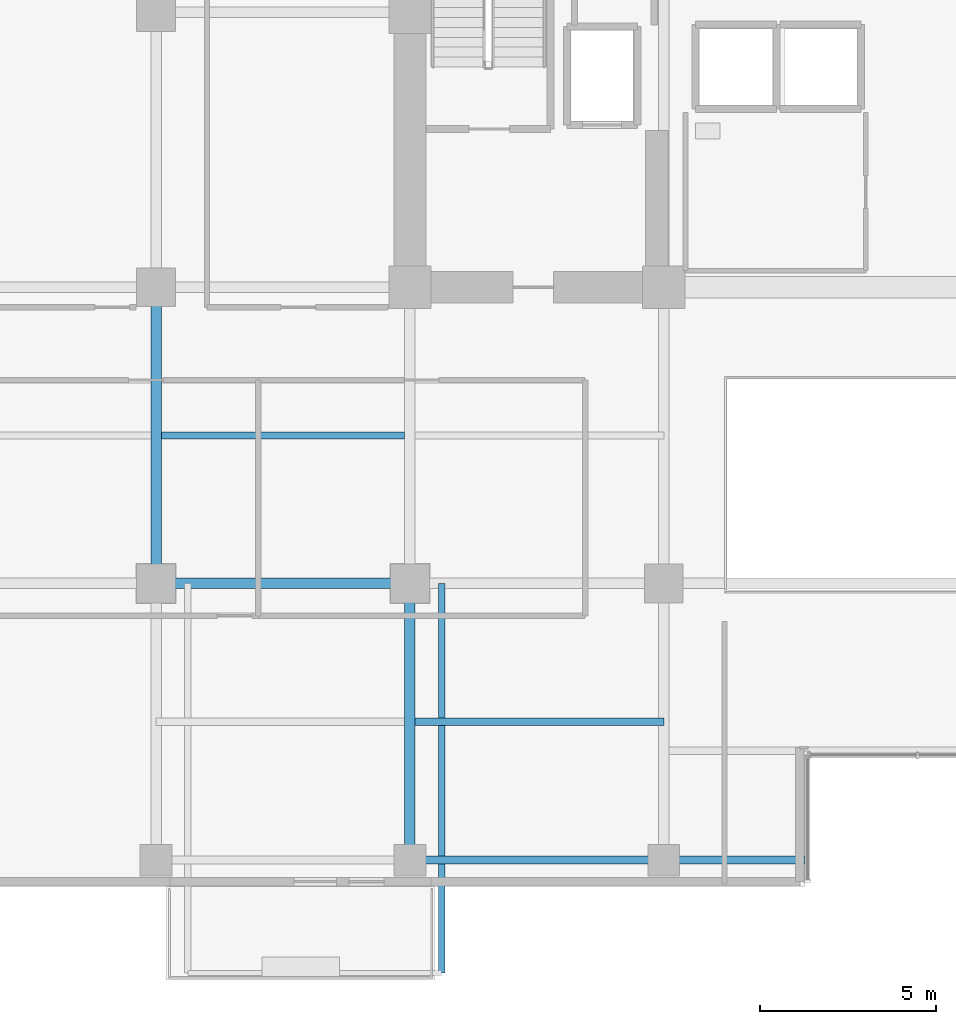
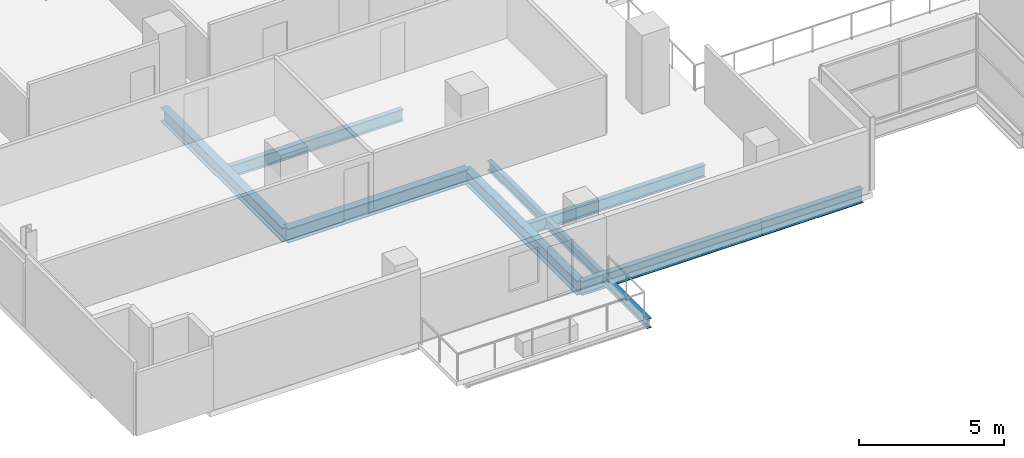
# One storey, part 5 of 29: 8 beams.
"""IFC4 building model written with IfcOpenShell, lengths in metres."""

from ifc_helpers import new_model, si_unit, direction, frame, origin, origin_2d, place, context, subcontext, project, spatial, i_section, extrude, material, material_profile, profile_set, type_object, element, save


model = new_model("IFC4")

# Units and contexts
model_context = context("Model", 3, precision=1e-05, world=origin(), true_north=direction((0.0, 1.0)))
body_context = subcontext(model_context, "Body", "Model", "MODEL_VIEW")
ifc_project = project(units=[si_unit("LENGTHUNIT", "METRE"), si_unit("AREAUNIT", "SQUARE_METRE"), si_unit("VOLUMEUNIT", "CUBIC_METRE"), si_unit("PLANEANGLEUNIT", "RADIAN"), si_unit("MASSUNIT", "GRAM", prefix="KILO")], contexts=[model_context])

# Site, building, storey
site_placement = place(None, origin())
site = spatial("IfcSite", under=ifc_project, at=site_placement, CompositionType="ELEMENT")
building_placement = place(site_placement, origin())
building = spatial("IfcBuilding", under=site, at=building_placement, Name="Zarnakvel Exchange Tower", CompositionType="ELEMENT")
storey_placement = place(building_placement, frame((0.0, 0.0, 37.300048828125)))
storey = spatial("IfcBuildingStorey", under=building, at=storey_placement, Name="L09", CompositionType="ELEMENT", Elevation=37.300048828125)

# Beams
ifc_material = material(Name="Steel S355", Category="steel")
ifc_material_profile_1 = material_profile(ifc_material, i_section(OverallWidth=0.199951171875, OverallDepth=0.5, WebThickness=0.01025390625, FlangeThickness=0.01611328125, FilletRadius=0.02099609375, at=origin_2d()))
ifc_profile_set_1 = profile_set([ifc_material_profile_1], Name="Steel S355")
beam_type_1 = type_object("IfcBeamType", Name="B-04", PredefinedType="JOIST", material=ifc_profile_set_1)
beam_1_placement = place(storey_placement, frame((-14.25, -13.52490234375, -0.47509765625), z_axis=(1.0, 0.0, 0.0), x_axis=(0.0, 1.0, 0.0)))
element("IfcBeam", 1, at=beam_1_placement, inside=storey, type_object=beam_type_1, Name="L09 Composite Floor Secondary Joist", PredefinedType="JOIST", context=body_context, shape_type="SweptSolid", body=[
    extrude(i_section(OverallWidth=0.199951171875, OverallDepth=0.5, WebThickness=0.01025390625, FlangeThickness=0.01611328125, FilletRadius=0.02099609375, at=origin_2d()), origin(), (0.0, 0.0, 1.0), 7.050048828125),
])
beam_2_placement = place(storey_placement, frame((-21.449951171875, -5.39990234375, -0.47509765625), z_axis=(1.0, 0.0, 0.0), x_axis=(0.0, 1.0, 0.0)))
element("IfcBeam", 2, at=beam_2_placement, inside=storey, type_object=beam_type_1, Name="L09 Composite Floor Secondary Joist", PredefinedType="JOIST", context=body_context, shape_type="SweptSolid", body=[
    extrude(i_section(OverallWidth=0.199951171875, OverallDepth=0.5, WebThickness=0.01025390625, FlangeThickness=0.01611328125, FilletRadius=0.02099609375, at=origin_2d()), origin(), (0.0, 0.0, 1.0), 6.89990234375),
])
ifc_material_profile_2 = material_profile(ifc_material, i_section(OverallWidth=0.179931640625, OverallDepth=0.39990234375, WebThickness=0.008544921875, FlangeThickness=0.013427734375, FilletRadius=0.02099609375, at=origin_2d()))
ifc_profile_set_2 = profile_set([ifc_material_profile_2], Name="Steel S355")
beam_type_2 = type_object("IfcBeamType", Name="B-06", PredefinedType="JOIST", material=ifc_profile_set_2)
beam_3_placement = place(storey_placement, frame((-13.5, -9.60009765625, -0.425048828125), z_axis=(0.0, -1.0, 0.0), x_axis=(1.0, 0.0, 0.0)))
element("IfcBeam", 3, at=beam_3_placement, inside=storey, type_object=beam_type_2, Name="L09 Continuous Back-Spanned Balcony Beam E", PredefinedType="JOIST", context=body_context, shape_type="SweptSolid", body=[
    extrude(i_section(OverallWidth=0.179931640625, OverallDepth=0.39990234375, WebThickness=0.008544921875, FlangeThickness=0.013427734375, FilletRadius=0.02099609375, at=origin_2d()), origin(), (0.0, 0.0, 1.0), 11.0498046875),
])
ifc_material_profile_3 = material_profile(ifc_material, i_section(OverallWidth=0.300048828125, OverallDepth=0.60009765625, WebThickness=0.015380859375, FlangeThickness=0.030029296875, FilletRadius=0.027099609375, at=origin_2d()))
ifc_profile_set_3 = profile_set([ifc_material_profile_3], Name="Steel S355")
beam_type_3 = type_object("IfcBeamType", Name="G-04", PredefinedType="BEAM", material=ifc_profile_set_3)
beam_4_placement = place(storey_placement, frame((-21.60009765625, -9.60009765625, -0.525146484375), z_axis=(1.0, 0.0, 0.0), x_axis=(0.0, 1.0, 0.0)))
element("IfcBeam", 4, at=beam_4_placement, inside=storey, type_object=beam_type_3, Name="L09 Tower E-W Frame Beam", PredefinedType="BEAM", context=body_context, shape_type="SweptSolid", body=[
    extrude(i_section(OverallWidth=0.300048828125, OverallDepth=0.60009765625, WebThickness=0.015380859375, FlangeThickness=0.030029296875, FilletRadius=0.027099609375, at=origin_2d()), origin(), (0.0, 0.0, 1.0), 7.2001953125),
])
beam_5_placement = place(storey_placement, frame((-21.60009765625, -9.60009765625, -0.525146484375), z_axis=(0.0, 1.0, 0.0), x_axis=(-1.0, 0.0, 0.0)))
element("IfcBeam", 5, at=beam_5_placement, inside=storey, type_object=beam_type_3, Name="L09 Tower N-S Frame Beam", PredefinedType="BEAM", context=body_context, shape_type="SweptSolid", body=[
    extrude(i_section(OverallWidth=0.300048828125, OverallDepth=0.60009765625, WebThickness=0.015380859375, FlangeThickness=0.030029296875, FilletRadius=0.027099609375, at=origin_2d()), origin(), (0.0, 0.0, 1.0), 8.400146484375),
])
beam_6_placement = place(storey_placement, frame((-14.39990234375, -17.449951171875, -0.525146484375), z_axis=(0.0, 1.0, 0.0), x_axis=(-1.0, 0.0, 0.0)))
element("IfcBeam", 6, at=beam_6_placement, inside=storey, type_object=beam_type_3, Name="L09 Tower N-S Frame Beam", PredefinedType="BEAM", context=body_context, shape_type="SweptSolid", body=[
    extrude(i_section(OverallWidth=0.300048828125, OverallDepth=0.60009765625, WebThickness=0.015380859375, FlangeThickness=0.030029296875, FilletRadius=0.027099609375, at=origin_2d()), origin(), (0.0, 0.0, 1.0), 7.849853515625),
])
ifc_material_profile_4 = material_profile(ifc_material, i_section(OverallWidth=0.219970703125, OverallDepth=0.60009765625, WebThickness=0.011962890625, FlangeThickness=0.01904296875, FilletRadius=0.02392578125, at=origin_2d()))
ifc_profile_set_4 = profile_set([ifc_material_profile_4], Name="Steel S355")
beam_type_4 = type_object("IfcBeamType", Name="SP-01", PredefinedType="SPANDREL", material=ifc_profile_set_4)
beam_7_placement = place(storey_placement, frame((-14.39990234375, -17.449951171875, -0.525146484375), z_axis=(1.0, 0.0, 0.0), x_axis=(0.0, 1.0, 0.0)))
element("IfcBeam", 7, at=beam_7_placement, inside=storey, type_object=beam_type_4, Name="L09 Tower E-W Frame Beam", PredefinedType="SPANDREL", context=body_context, shape_type="SweptSolid", body=[
    extrude(i_section(OverallWidth=0.219970703125, OverallDepth=0.60009765625, WebThickness=0.011962890625, FlangeThickness=0.01904296875, FilletRadius=0.02392578125, at=origin_2d()), origin(), (0.0, 0.0, 1.0), 7.199951171875),
])
beam_8_placement = place(storey_placement, frame((-7.199951171875, -17.449951171875, -0.525146484375), z_axis=(1.0, 0.0, 0.0), x_axis=(0.0, 1.0, 0.0)))
element("IfcBeam", 8, at=beam_8_placement, inside=storey, type_object=beam_type_4, Name="L09 South Slot West Jamb Spandrel", PredefinedType="SPANDREL", context=body_context, shape_type="SweptSolid", body=[
    extrude(i_section(OverallWidth=0.219970703125, OverallDepth=0.60009765625, WebThickness=0.011962890625, FlangeThickness=0.01904296875, FilletRadius=0.02392578125, at=origin_2d()), origin(), (0.0, 0.0, 1.0), 4.0),
])

save(model, "model.ifc")
